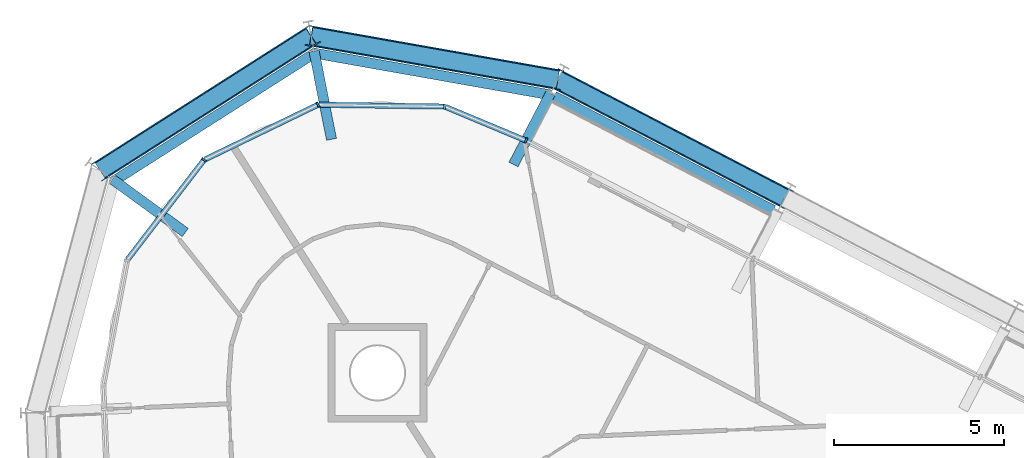
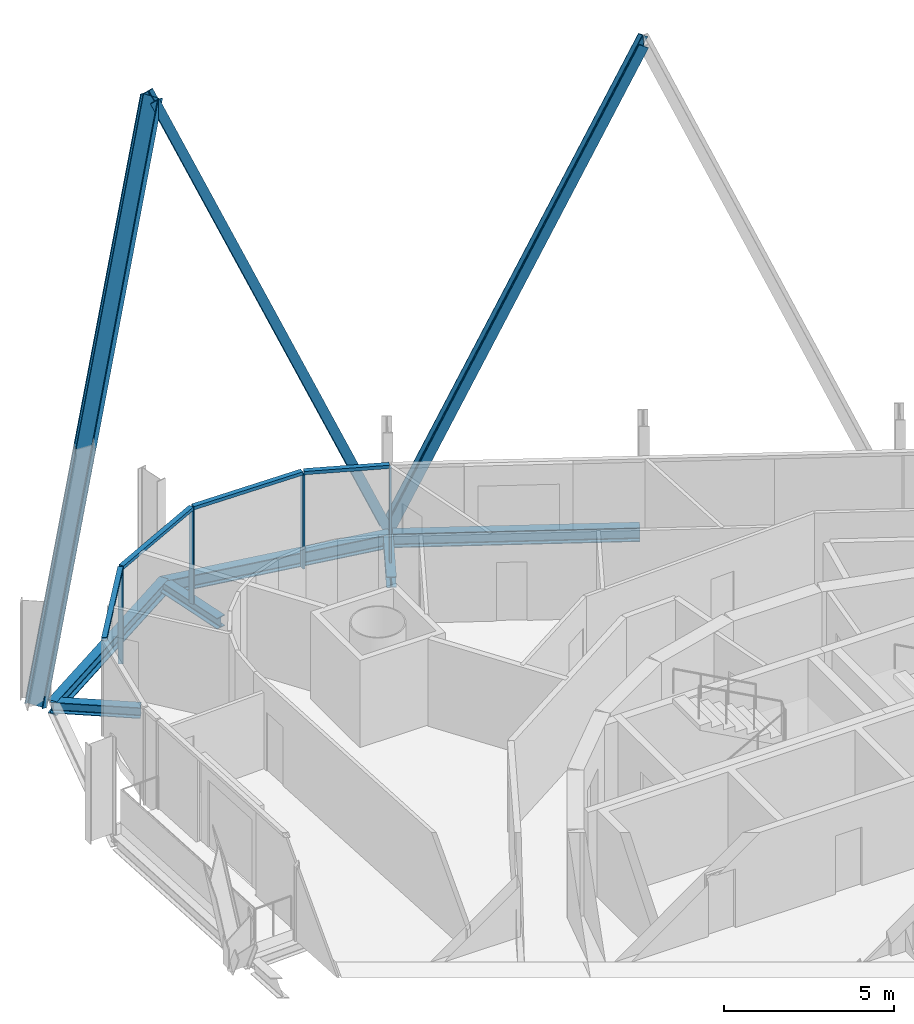
# One storey, part 8 of 18: 11 members, 6 beams, 1 element without a shape of its own.
"""IFC4 building model written with IfcOpenShell, lengths in metres."""

from ifc_helpers import new_model, si_unit, direction, frame, origin, origin_2d, place, context, subcontext, project, spatial, rectangle, i_section, extrude, material, layer, layer_set, material_profile, profile_set, type_object, element, aggregate, save


model = new_model("IFC4")

# Units and contexts
model_context = context("Model", 3, precision=1e-05, world=origin(), true_north=direction((0.0, 1.0)))
body_context = subcontext(model_context, "Body", "Model", "MODEL_VIEW")
ifc_project = project(units=[si_unit("LENGTHUNIT", "METRE"), si_unit("AREAUNIT", "SQUARE_METRE"), si_unit("VOLUMEUNIT", "CUBIC_METRE"), si_unit("PLANEANGLEUNIT", "RADIAN"), si_unit("MASSUNIT", "GRAM", prefix="KILO")], contexts=[model_context])

# Site, building, storey
site_placement = place(None, origin())
site = spatial("IfcSite", under=ifc_project, at=site_placement, CompositionType="ELEMENT")
building_placement = place(site_placement, origin())
building = spatial("IfcBuilding", under=site, at=building_placement, Name="Spindle Arch Residences", CompositionType="ELEMENT")
storey_placement = place(building_placement, frame((0.0, 0.0, 240.699951171875)))
storey = spatial("IfcBuildingStorey", under=building, at=storey_placement, Name="L61", CompositionType="ELEMENT", Elevation=240.699951171875)

# Curtain wall, members
ifc_material_1 = material(Name="Aluminium bronze unitised frame with tinted glass", Category="aluminium")
ifc_layer = layer(ifc_material_1, 0.159912109375)
ifc_layer_set = layer_set([ifc_layer], Name="CW-D corner wall on the fillet arcs")
curtain_wall_type = type_object("IfcCurtainWallType", Name="CW-D corner wall on the fillet arcs", PredefinedType="NOTDEFINED", material=ifc_layer_set)
curtain_wall_placement = place(storey_placement, origin())
curtain_wall = element("IfcCurtainWall", 1, at=curtain_wall_placement, inside=storey, type_object=curtain_wall_type, Name="CW-D L61 run 3", PredefinedType="NOTDEFINED")
ifc_material_2 = material(Name="Aluminium bronze anodised mullion", Category="aluminium")
ifc_material_profile_1 = material_profile(ifc_material_2, rectangle(XDim=0.159912109375, YDim=0.06005859375, at=origin_2d()), Name="MU 60x160")
ifc_profile_set_1 = profile_set([ifc_material_profile_1], Name="Aluminium bronze anodised mullion")
member_type_1 = type_object("IfcMemberType", Name="Bronze mullion 60x160", PredefinedType="MULLION", material=ifc_profile_set_1)
member_1_placement = place(storey_placement, frame((-6.19970703125, 23.423828125, -0.3798828125), z_axis=(0.0, 0.0, 1.0), x_axis=(-0.385552013734, -0.92268610302, 0.0)))
member_1 = element("IfcMember", 2, at=member_1_placement, type_object=member_type_1, Name="CW-D mullion 00", PredefinedType="MULLION", context=body_context, shape_type="SweptSolid", body=[
    extrude(rectangle(XDim=0.159912109375, YDim=0.06005859375, at=origin_2d()), origin(), (0.0, 0.0, 1.0), 3.3798828125),
])
member_2_placement = place(storey_placement, frame((-8.590576171875, 24.422607421875, -0.3798828125), z_axis=(0.0, 0.0, 1.0), x_axis=(-0.014543896145, -0.999894231949, 0.0)))
member_2 = element("IfcMember", 3, at=member_2_placement, type_object=member_type_1, Name="CW-D mullion 01", PredefinedType="MULLION", context=body_context, shape_type="SweptSolid", body=[
    extrude(rectangle(XDim=0.159912109375, YDim=0.06005859375, at=origin_2d()), origin(), (0.0, 0.0, 1.0), 3.3798828125),
])
member_3_placement = place(storey_placement, frame((-12.31689453125, 24.476806640625, -0.3798828125), z_axis=(0.0, 0.0, 1.0), x_axis=(0.435754815677, -0.900065409075, 0.0)))
member_3 = element("IfcMember", 4, at=member_3_placement, type_object=member_type_1, Name="CW-D mullion 02", PredefinedType="MULLION", context=body_context, shape_type="SweptSolid", body=[
    extrude(rectangle(XDim=0.159912109375, YDim=0.06005859375, at=origin_2d()), origin(), (0.0, 0.0, 1.0), 3.3798828125),
])
member_4_placement = place(storey_placement, frame((-15.671142578125, 22.85302734375, -0.3798828125), z_axis=(0.0, 0.0, 1.0), x_axis=(0.793353344679, -0.60876142329, 0.0)))
member_4 = element("IfcMember", 5, at=member_4_placement, type_object=member_type_1, Name="CW-D mullion 03", PredefinedType="MULLION", context=body_context, shape_type="SweptSolid", body=[
    extrude(rectangle(XDim=0.159912109375, YDim=0.06005859375, at=origin_2d()), origin(), (0.0, 0.0, 1.0), 3.3798828125),
])
ifc_material_3 = material(Name="Aluminium bronze anodised transom", Category="aluminium")
ifc_material_profile_2 = material_profile(ifc_material_3, rectangle(XDim=0.159912109375, YDim=0.1201171875, at=origin_2d()), Name="TR 120x160")
ifc_profile_set_2 = profile_set([ifc_material_profile_2], Name="Aluminium bronze anodised transom")
member_type_2 = type_object("IfcMemberType", Name="Bronze transom 120x160", PredefinedType="USERDEFINED", material=ifc_profile_set_2)
member_5_placement = place(storey_placement, frame((-6.2275390625, 23.435302734375, 3.06005859375), z_axis=(-0.922679730335, 0.385567264208, 0.0), x_axis=(-0.385567264208, -0.922679730335, 0.0)))
member_5 = element("IfcMember", 6, at=member_5_placement, type_object=member_type_2, Name="CW-D transom 00", ObjectType="TRANSOM", PredefinedType="USERDEFINED", context=body_context, shape_type="SweptSolid", body=[
    extrude(rectangle(XDim=0.159912109375, YDim=0.1201171875, at=origin_2d()), origin(), (0.0, 0.0, 1.0), 2.531005859375),
])
member_6_placement = place(storey_placement, frame((-8.620361328125, 24.423095703125, 3.06005859375), z_axis=(-0.999893692287, 0.014580950766, 0.0), x_axis=(-0.014580950766, -0.999893692287, 0.0)))
member_6 = element("IfcMember", 7, at=member_6_placement, type_object=member_type_2, Name="CW-D transom 01", ObjectType="TRANSOM", PredefinedType="USERDEFINED", context=body_context, shape_type="SweptSolid", body=[
    extrude(rectangle(XDim=0.159912109375, YDim=0.1201171875, at=origin_2d()), origin(), (0.0, 0.0, 1.0), 3.6669921875),
])
member_7_placement = place(storey_placement, frame((-12.34375, 24.4638671875, 3.06005859375), z_axis=(-0.900053962869, -0.435778457388, 0.0), x_axis=(0.435778457388, -0.900053962869, 0.0)))
member_7 = element("IfcMember", 8, at=member_7_placement, type_object=member_type_2, Name="CW-D transom 02", ObjectType="TRANSOM", PredefinedType="USERDEFINED", context=body_context, shape_type="SweptSolid", body=[
    extrude(rectangle(XDim=0.159912109375, YDim=0.1201171875, at=origin_2d()), origin(), (0.0, 0.0, 1.0), 3.666748046875),
])
member_8_placement = place(storey_placement, frame((-15.689453125, 22.8291015625, 3.06005859375), z_axis=(-0.608773956943, -0.793343727112, 0.0), x_axis=(0.793343727112, -0.608773956943, 0.0)))
member_8 = element("IfcMember", 9, at=member_8_placement, type_object=member_type_2, Name="CW-D transom 03", ObjectType="TRANSOM", PredefinedType="USERDEFINED", context=body_context, shape_type="SweptSolid", body=[
    extrude(rectangle(XDim=0.159912109375, YDim=0.1201171875, at=origin_2d()), origin(), (0.0, 0.0, 1.0), 3.666748046875),
])
aggregate(curtain_wall, [member_1, member_5, member_2, member_6, member_3, member_7, member_4, member_8])

# Members
ifc_material_4 = material(Name="Steel S460ML, intumescent coating R 240", Category="steel")
ifc_material_profile_3 = material_profile(ifc_material_4, i_section(OverallWidth=0.300048828125, OverallDepth=0.60009765625, WebThickness=0.015380859375, FlangeThickness=0.030029296875, FilletRadius=0.027099609375, at=origin_2d()), Name="HEB 600")
ifc_profile_set_3 = profile_set([ifc_material_profile_3], Name="Steel S460ML, intumescent coating R 240")
member_type_3 = type_object("IfcMemberType", Name="Diagrid diagonal HEB 600", PredefinedType="BRACE", material=ifc_profile_set_3)
member_9_placement = place(storey_placement, frame((-5.26708984375, 25.215576171875, -0.6298828125), z_axis=(0.354466950993, -0.184528047227, 0.916680195292), x_axis=(-0.813101287694, 0.423283446865, 0.399621595463)))
element("IfcMember", 10, at=member_9_placement, inside=storey, type_object=member_type_3, Name="Diagrid diagonal 6.2.9", PredefinedType="BRACE", context=body_context, shape_type="SweptSolid", body=[
    extrude(i_section(OverallWidth=0.300048828125, OverallDepth=0.60009765625, WebThickness=0.015380859375, FlangeThickness=0.030029296875, FilletRadius=0.027099609375, at=origin_2d()), origin(), (0.0, 0.0, 1.0), 18.843017578125),
])
member_10_placement = place(storey_placement, frame((-5.26708984375, 25.215576171875, -0.6298828125), z_axis=(-0.386228812186, 0.068297985269, 0.919871018049), x_axis=(0.905817622635, -0.160178414182, 0.392220996575)))
element("IfcMember", 11, at=member_10_placement, inside=storey, type_object=member_type_3, Name="Diagrid diagonal 6.2.10", PredefinedType="BRACE", context=body_context, shape_type="SweptSolid", body=[
    extrude(i_section(OverallWidth=0.300048828125, OverallDepth=0.60009765625, WebThickness=0.015380859375, FlangeThickness=0.030029296875, FilletRadius=0.027099609375, at=origin_2d()), origin(), (0.0, 0.0, 1.0), 18.777587890625),
])
member_11_placement = place(storey_placement, frame((-18.724365234375, 22.545166015625, -0.6298828125), z_axis=(0.330493499789, 0.210545750741, 0.920024202639), x_axis=(-0.775942488754, -0.494325588645, 0.391861540034)))
element("IfcMember", 12, at=member_11_placement, inside=storey, type_object=member_type_3, Name="Diagrid diagonal 6.2.11", PredefinedType="BRACE", context=body_context, shape_type="SweptSolid", body=[
    extrude(i_section(OverallWidth=0.300048828125, OverallDepth=0.60009765625, WebThickness=0.015380859375, FlangeThickness=0.030029296875, FilletRadius=0.027099609375, at=origin_2d()), origin(), (0.0, 0.0, 1.0), 18.7744140625),
])

# Beams
ifc_material_5 = material(Name="Steel S460ML, intumescent coating R 120", Category="steel")
ifc_material_profile_4 = material_profile(ifc_material_5, i_section(OverallWidth=0.300048828125, OverallDepth=0.5, WebThickness=0.014404296875, FlangeThickness=0.028076171875, FilletRadius=0.027099609375, at=origin_2d()), Name="HEB 500")
ifc_profile_set_4 = profile_set([ifc_material_profile_4], Name="Steel S460ML, intumescent coating R 120")
beam_type_1 = type_object("IfcBeamType", Name="Exoskeleton edge beam HEB 500", PredefinedType="BEAM", material=ifc_profile_set_4)
beam_1_placement = place(storey_placement, frame((1.0751953125, 21.372802734375, -0.6298828125), z_axis=(-0.887007222688, 0.461755548857, 0.0), x_axis=(-0.461755548857, -0.887007222688, 0.0)))
element("IfcBeam", 13, at=beam_1_placement, inside=storey, type_object=beam_type_1, Name="Exoskeleton edge beam 9", PredefinedType="BEAM", context=body_context, shape_type="SweptSolid", body=[
    extrude(i_section(OverallWidth=0.300048828125, OverallDepth=0.5, WebThickness=0.014404296875, FlangeThickness=0.028076171875, FilletRadius=0.027099609375, at=origin_2d()), origin(), (0.0, 0.0, 1.0), 7.27001953125),
])
beam_2_placement = place(storey_placement, frame((-5.46337890625, 24.762939453125, -0.6298828125), z_axis=(-0.984720537274, 0.174142078404, 0.0), x_axis=(-0.174142078404, -0.984720537274, 0.0)))
element("IfcBeam", 14, at=beam_2_placement, inside=storey, type_object=beam_type_1, Name="Exoskeleton edge beam 10", PredefinedType="BEAM", context=body_context, shape_type="SweptSolid", body=[
    extrude(i_section(OverallWidth=0.300048828125, OverallDepth=0.5, WebThickness=0.014404296875, FlangeThickness=0.028076171875, FilletRadius=0.027099609375, at=origin_2d()), origin(), (0.0, 0.0, 1.0), 7.105224609375),
])
beam_3_placement = place(storey_placement, frame((-12.371337890625, 26.0234375, -0.6298828125), z_axis=(-0.843392249939, -0.537298346119, 0.0), x_axis=(0.537298346119, -0.843392249939, 0.0)))
element("IfcBeam", 15, at=beam_3_placement, inside=storey, type_object=beam_type_1, Name="Exoskeleton edge beam 11", PredefinedType="BEAM", context=body_context, shape_type="SweptSolid", body=[
    extrude(i_section(OverallWidth=0.300048828125, OverallDepth=0.5, WebThickness=0.014404296875, FlangeThickness=0.028076171875, FilletRadius=0.027099609375, at=origin_2d()), origin(), (0.0, 0.0, 1.0), 7.09716796875),
])
ifc_material_6 = material(Name="Steel S460ML, intumescent coating R 120", Category="steel")
ifc_material_profile_5 = material_profile(ifc_material_6, i_section(OverallWidth=0.300048828125, OverallDepth=0.389892578125, WebThickness=0.010986328125, FlangeThickness=0.01904296875, FilletRadius=0.027099609375, at=origin_2d()), Name="HEA 400")
ifc_profile_set_5 = profile_set([ifc_material_profile_5], Name="Steel S460ML, intumescent coating R 120")
beam_type_2 = type_object("IfcBeamType", Name="Floor outrigger HEA 400", PredefinedType="BEAM", material=ifc_profile_set_5)
beam_4_placement = place(storey_placement, frame((-5.474853515625, 24.81640625, -0.574951171875), z_axis=(-0.46171971426, -0.887025876434, 0.0), x_axis=(0.887025876434, -0.46171971426, 0.0)))
element("IfcBeam", 16, at=beam_4_placement, inside=storey, type_object=beam_type_2, Name="Floor outrigger 10", PredefinedType="BEAM", context=body_context, shape_type="SweptSolid", body=[
    extrude(i_section(OverallWidth=0.300048828125, OverallDepth=0.389892578125, WebThickness=0.010986328125, FlangeThickness=0.01904296875, FilletRadius=0.027099609375, at=origin_2d()), origin(), (0.0, 0.0, 1.0), 2.36669921875),
])
beam_5_placement = place(storey_placement, frame((-12.4326171875, 26.056640625, -0.574951171875), z_axis=(0.193191977973, -0.981160975399, 0.0), x_axis=(0.981160975399, 0.193191977973, 0.0)))
element("IfcBeam", 17, at=beam_5_placement, inside=storey, type_object=beam_type_2, Name="Floor outrigger 11", PredefinedType="BEAM", context=body_context, shape_type="SweptSolid", body=[
    extrude(i_section(OverallWidth=0.300048828125, OverallDepth=0.389892578125, WebThickness=0.010986328125, FlangeThickness=0.01904296875, FilletRadius=0.027099609375, at=origin_2d()), origin(), (0.0, 0.0, 1.0), 2.64990234375),
])
beam_6_placement = place(storey_placement, frame((-18.361083984375, 22.27978515625, -0.574951171875), z_axis=(0.807563254959, -0.589780967174, 0.0), x_axis=(0.589780967174, 0.807563254959, 0.0)))
element("IfcBeam", 18, at=beam_6_placement, inside=storey, type_object=beam_type_2, Name="Floor outrigger 12", PredefinedType="BEAM", context=body_context, shape_type="SweptSolid", body=[
    extrude(i_section(OverallWidth=0.300048828125, OverallDepth=0.389892578125, WebThickness=0.010986328125, FlangeThickness=0.01904296875, FilletRadius=0.027099609375, at=origin_2d()), origin(), (0.0, 0.0, 1.0), 2.650146484375),
])

save(model, "model.ifc")
